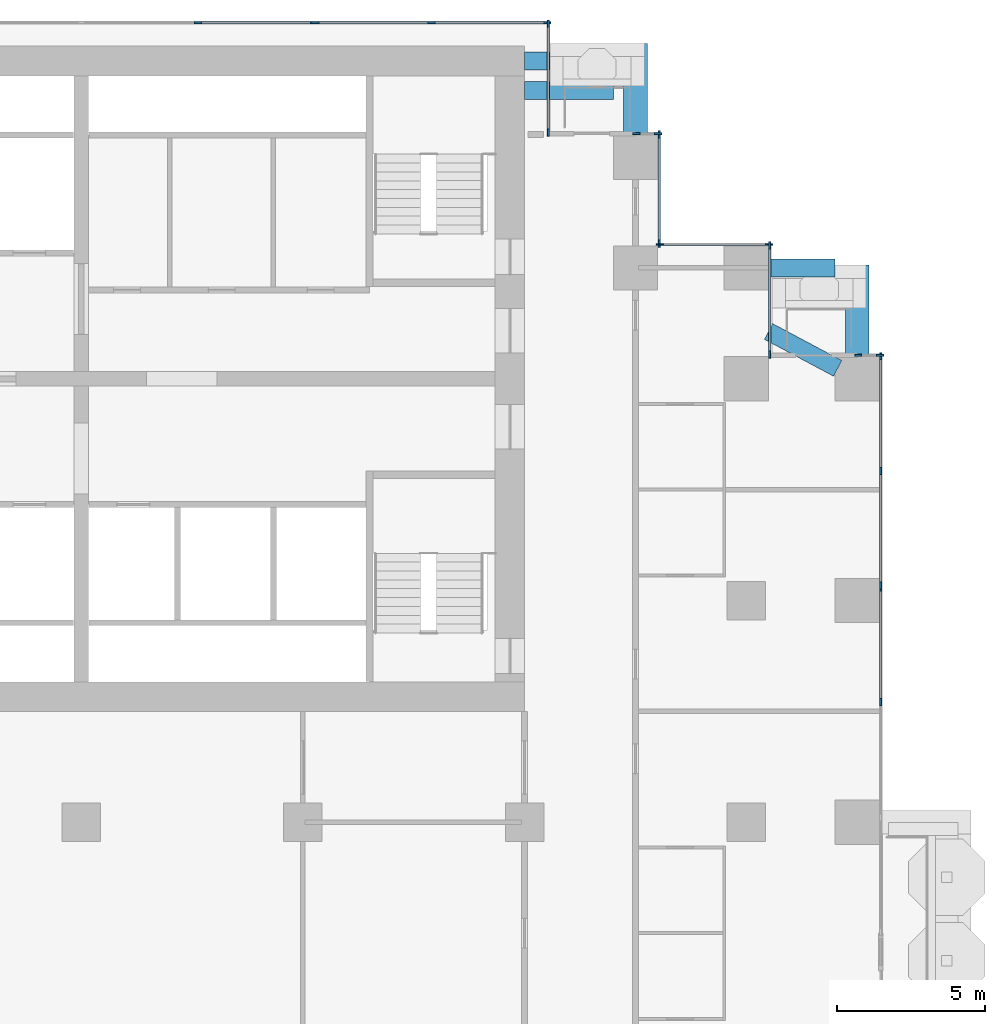
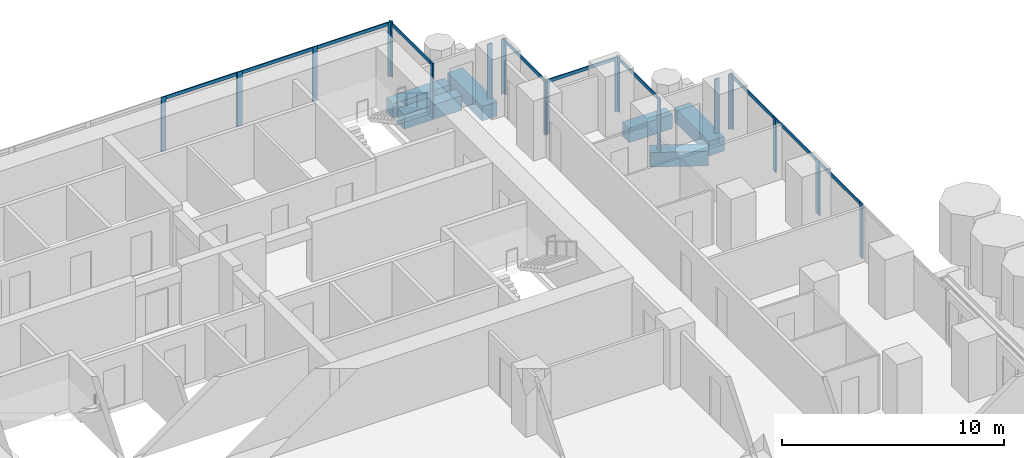
# One storey, part 6 of 18: 32 members, 6 beams, 10 elements without a shape of their own.
"""IFC4 building model written with IfcOpenShell, lengths in metres."""

from ifc_helpers import new_model, si_unit, direction, frame, origin, origin_2d, place, context, subcontext, project, spatial, rectangle, extrude, material, material_profile, profile_set, type_object, element, aggregate, save


model = new_model("IFC4")

# Units and contexts
model_context = context("Model", 3, precision=1e-05, world=origin(), true_north=direction((0.0, 1.0)))
body_context = subcontext(model_context, "Body", "Model", "MODEL_VIEW")
ifc_project = project(units=[si_unit("LENGTHUNIT", "METRE"), si_unit("AREAUNIT", "SQUARE_METRE"), si_unit("VOLUMEUNIT", "CUBIC_METRE"), si_unit("PLANEANGLEUNIT", "RADIAN"), si_unit("MASSUNIT", "GRAM", prefix="KILO")], contexts=[model_context])

# Site, building, storey
site_placement = place(None, origin())
site = spatial("IfcSite", under=ifc_project, at=site_placement, CompositionType="ELEMENT")
building_placement = place(site_placement, origin())
building = spatial("IfcBuilding", under=site, at=building_placement, Name="Pilkhan Gate Tower", CompositionType="ELEMENT")
storey_placement = place(building_placement, frame((0.0, 0.0, 75.800048828125)))
storey = spatial("IfcBuildingStorey", under=building, at=storey_placement, Name="L17", CompositionType="ELEMENT", Elevation=75.800048828125)

# Beams
ifc_material_1 = material(Name="Concrete C50/60", Category="concrete")
ifc_material_profile_1 = material_profile(ifc_material_1, rectangle(XDim=0.60009765625, YDim=0.800048828125, at=origin_2d()), Name="RC 600x800")
ifc_profile_set_1 = profile_set([ifc_material_profile_1], Name="Concrete C50/60")
beam_type_1 = type_object("IfcBeamType", Name="Cantilever beam CB1 RC 600x800 C50/60", PredefinedType="BEAM", material=ifc_profile_set_1)
for number, where, z_axis, x_axis, name in (
    (1, (90.0, 93.25, -0.699951171875), (1.0, 0.0, 0.0), (0.0, 1.0, 0.0), "Balcony beam NE.2 L17"),
    (2, (90.0, 92.25, -0.699951171875), (1.0, 0.0, 0.0), (0.0, 1.0, 0.0), "Balcony beam NE.3 L17"),
):
    element("IfcBeam", number, at=place(storey_placement, frame(where, z_axis=z_axis, x_axis=x_axis)), inside=storey, type_object=beam_type_1, Name=name, PredefinedType="BEAM", context=body_context, shape_type="SweptSolid", body=[
        extrude(rectangle(XDim=0.60009765625, YDim=0.800048828125, at=origin_2d()), origin(), (0.0, 0.0, 1.0), 3.0),
    ])
beam_1_placement = place(storey_placement, frame((98.25, 86.25, -0.699951171875), z_axis=(1.0, 0.0, 0.0), x_axis=(0.0, 1.0, 0.0)))
element("IfcBeam", 3, at=beam_1_placement, inside=storey, type_object=beam_type_1, Name="Balcony beam NE2.2 L17", PredefinedType="BEAM", context=body_context, shape_type="SweptSolid", body=[
    extrude(rectangle(XDim=0.60009765625, YDim=0.800048828125, at=origin_2d()), origin(), (0.0, 0.0, 1.0), 2.25),
])
beam_2_placement = place(storey_placement, frame((100.588134765625, 82.85302734375, -0.699951171875), z_axis=(-0.882342739565, 0.470607362817, 0.0), x_axis=(-0.470607362817, -0.882342739565, 0.0)))
element("IfcBeam", 4, at=beam_2_placement, inside=storey, type_object=beam_type_1, Name="Balcony beam NE2.3 L17", PredefinedType="BEAM", context=body_context, shape_type="SweptSolid", body=[
    extrude(rectangle(XDim=0.60009765625, YDim=0.800048828125, at=origin_2d()), origin(), (0.0, 0.0, 1.0), 2.64990234375),
])
ifc_material_profile_2 = material_profile(ifc_material_1, rectangle(XDim=0.800048828125, YDim=0.800048828125, at=origin_2d()), Name="RC 800x800")
ifc_profile_set_2 = profile_set([ifc_material_profile_2], Name="Concrete C50/60")
beam_type_2 = type_object("IfcBeamType", Name="Cantilever beam CB2 RC 800x800 C50/60", PredefinedType="BEAM", material=ifc_profile_set_2)
for number, where, z_axis, x_axis, name in (
    (5, (93.75, 90.75, -0.699951171875), (0.0, 1.0, 0.0), (-1.0, 0.0, 0.0), "Balcony beam NE.1 L17"),
    (6, (101.25, 83.25, -0.699951171875), (0.0, 1.0, 0.0), (-1.0, 0.0, 0.0), "Balcony beam NE2.1 L17"),
):
    element("IfcBeam", number, at=place(storey_placement, frame(where, z_axis=z_axis, x_axis=x_axis)), inside=storey, type_object=beam_type_2, Name=name, PredefinedType="BEAM", context=body_context, shape_type="SweptSolid", body=[
        extrude(rectangle(XDim=0.800048828125, YDim=0.800048828125, at=origin_2d()), origin(), (0.0, 0.0, 1.0), 3.10009765625),
    ])

# Curtain wall, members
ifc_material_2 = material(Name="Pale anodised aluminium, clear low-iron double glazing", Category="aluminium")
curtain_wall_type = type_object("IfcCurtainWallType", Name="Hotel unitised curtain wall CW-H", PredefinedType="USERDEFINED", material=ifc_material_2)
curtain_wall_1_placement = place(storey_placement, origin())
curtain_wall_1 = element("IfcCurtainWall", 7, at=curtain_wall_1_placement, inside=storey, type_object=curtain_wall_type, Name="Hotel unitised curtain wall CW-H L17 E", ObjectType="UNITISED CURTAIN WALL", PredefinedType="USERDEFINED")
ifc_material_3 = material(Name="Pale anodised aluminium", Category="aluminium")
ifc_material_profile_3 = material_profile(ifc_material_3, rectangle(XDim=0.06494140625, YDim=0.25, at=origin_2d()), Name="Mullion 250x65")
ifc_profile_set_3 = profile_set([ifc_material_profile_3], Name="Pale anodised aluminium")
member_type_1 = type_object("IfcMemberType", Name="Mullion CW-H 250x65", PredefinedType="MULLION", material=ifc_profile_set_3)
member_1_placement = place(storey_placement, frame((102.044921875, 71.568115234375, 0.0), z_axis=(0.0, 0.0, 1.0), x_axis=(-1.0, 0.0, 0.0)))
member_1 = element("IfcMember", 8, at=member_1_placement, type_object=member_type_1, Name="CW-H mullion 3", PredefinedType="MULLION", context=body_context, shape_type="SweptSolid", body=[
    extrude(rectangle(XDim=0.06494140625, YDim=0.25, at=origin_2d()), origin(), (0.0, 0.0, 1.0), 3.0),
])
member_2_placement = place(storey_placement, frame((102.044921875, 75.444580078125, 0.0), z_axis=(0.0, 0.0, 1.0), x_axis=(-1.0, 0.0, 0.0)))
member_2 = element("IfcMember", 9, at=member_2_placement, type_object=member_type_1, Name="CW-H mullion 4", PredefinedType="MULLION", context=body_context, shape_type="SweptSolid", body=[
    extrude(rectangle(XDim=0.06494140625, YDim=0.25, at=origin_2d()), origin(), (0.0, 0.0, 1.0), 3.0),
])

curtain_wall_2_placement = place(storey_placement, origin())
curtain_wall_2 = element("IfcCurtainWall", 10, at=curtain_wall_2_placement, inside=storey, type_object=curtain_wall_type, Name="Hotel unitised curtain wall CW-H L17 E", ObjectType="UNITISED CURTAIN WALL", PredefinedType="USERDEFINED")
member_3_placement = place(storey_placement, frame((102.044921875, 75.509521484375, 0.0), z_axis=(0.0, 0.0, 1.0), x_axis=(-1.0, 0.0, 0.0)))
member_3 = element("IfcMember", 11, at=member_3_placement, type_object=member_type_1, Name="CW-H mullion 1", PredefinedType="MULLION", context=body_context, shape_type="SweptSolid", body=[
    extrude(rectangle(XDim=0.06494140625, YDim=0.25, at=origin_2d()), origin(), (0.0, 0.0, 1.0), 3.0),
])
member_4_placement = place(storey_placement, frame((102.044921875, 79.385986328125, 0.0), z_axis=(0.0, 0.0, 1.0), x_axis=(-1.0, 0.0, 0.0)))
member_4 = element("IfcMember", 12, at=member_4_placement, type_object=member_type_1, Name="CW-H mullion 2", PredefinedType="MULLION", context=body_context, shape_type="SweptSolid", body=[
    extrude(rectangle(XDim=0.06494140625, YDim=0.25, at=origin_2d()), origin(), (0.0, 0.0, 1.0), 3.0),
])
member_5_placement = place(storey_placement, frame((102.044921875, 83.262451171875, 0.0), z_axis=(0.0, 0.0, 1.0), x_axis=(-1.0, 0.0, 0.0)))
member_5 = element("IfcMember", 13, at=member_5_placement, type_object=member_type_1, Name="CW-H mullion 3", PredefinedType="MULLION", context=body_context, shape_type="SweptSolid", body=[
    extrude(rectangle(XDim=0.06494140625, YDim=0.25, at=origin_2d()), origin(), (0.0, 0.0, 1.0), 3.0),
])

curtain_wall_3_placement = place(storey_placement, origin())
curtain_wall_3 = element("IfcCurtainWall", 14, at=curtain_wall_3_placement, inside=storey, type_object=curtain_wall_type, Name="Hotel unitised curtain wall CW-H L17 N", ObjectType="UNITISED CURTAIN WALL", PredefinedType="USERDEFINED")
member_6_placement = place(storey_placement, frame((101.282470703125, 83.294921875, 0.0), z_axis=(0.0, 0.0, 1.0), x_axis=(0.0, 1.0, 0.0)))
member_6 = element("IfcMember", 15, at=member_6_placement, type_object=member_type_1, Name="CW-H mullion 1", PredefinedType="MULLION", context=body_context, shape_type="SweptSolid", body=[
    extrude(rectangle(XDim=0.06494140625, YDim=0.25, at=origin_2d()), origin(), (0.0, 0.0, 1.0), 3.0),
])
member_7_placement = place(storey_placement, frame((102.012451171875, 83.294921875, 0.0), z_axis=(0.0, 0.0, 1.0), x_axis=(0.0, 1.0, 0.0)))
member_7 = element("IfcMember", 16, at=member_7_placement, type_object=member_type_1, Name="CW-H mullion 2", PredefinedType="MULLION", context=body_context, shape_type="SweptSolid", body=[
    extrude(rectangle(XDim=0.06494140625, YDim=0.25, at=origin_2d()), origin(), (0.0, 0.0, 1.0), 3.0),
])
aggregate(curtain_wall_3, [member_6, member_7])

curtain_wall_4_placement = place(storey_placement, origin())
curtain_wall_4 = element("IfcCurtainWall", 17, at=curtain_wall_4_placement, inside=storey, type_object=curtain_wall_type, Name="Hotel unitised curtain wall CW-H L17 E", ObjectType="UNITISED CURTAIN WALL", PredefinedType="USERDEFINED")
member_8_placement = place(storey_placement, frame((98.294921875, 83.327392578125, 0.0), z_axis=(0.0, 0.0, 1.0), x_axis=(-1.0, 0.0, 0.0)))
member_8 = element("IfcMember", 18, at=member_8_placement, type_object=member_type_1, Name="CW-H mullion 1", PredefinedType="MULLION", context=body_context, shape_type="SweptSolid", body=[
    extrude(rectangle(XDim=0.06494140625, YDim=0.25, at=origin_2d()), origin(), (0.0, 0.0, 1.0), 3.0),
])
member_9_placement = place(storey_placement, frame((98.294921875, 87.012451171875, 0.0), z_axis=(0.0, 0.0, 1.0), x_axis=(-1.0, 0.0, 0.0)))
member_9 = element("IfcMember", 19, at=member_9_placement, type_object=member_type_1, Name="CW-H mullion 2", PredefinedType="MULLION", context=body_context, shape_type="SweptSolid", body=[
    extrude(rectangle(XDim=0.06494140625, YDim=0.25, at=origin_2d()), origin(), (0.0, 0.0, 1.0), 3.0),
])

curtain_wall_5_placement = place(storey_placement, origin())
curtain_wall_5 = element("IfcCurtainWall", 20, at=curtain_wall_5_placement, inside=storey, type_object=curtain_wall_type, Name="Hotel unitised curtain wall CW-H L17 N", ObjectType="UNITISED CURTAIN WALL", PredefinedType="USERDEFINED")
member_10_placement = place(storey_placement, frame((94.577392578125, 87.044921875, 0.0), z_axis=(0.0, 0.0, 1.0), x_axis=(0.0, 1.0, 0.0)))
member_10 = element("IfcMember", 21, at=member_10_placement, type_object=member_type_1, Name="CW-H mullion 1", PredefinedType="MULLION", context=body_context, shape_type="SweptSolid", body=[
    extrude(rectangle(XDim=0.06494140625, YDim=0.25, at=origin_2d()), origin(), (0.0, 0.0, 1.0), 3.0),
])
member_11_placement = place(storey_placement, frame((98.262451171875, 87.044921875, 0.0), z_axis=(0.0, 0.0, 1.0), x_axis=(0.0, 1.0, 0.0)))
member_11 = element("IfcMember", 22, at=member_11_placement, type_object=member_type_1, Name="CW-H mullion 2", PredefinedType="MULLION", context=body_context, shape_type="SweptSolid", body=[
    extrude(rectangle(XDim=0.06494140625, YDim=0.25, at=origin_2d()), origin(), (0.0, 0.0, 1.0), 3.0),
])

curtain_wall_6_placement = place(storey_placement, origin())
curtain_wall_6 = element("IfcCurtainWall", 23, at=curtain_wall_6_placement, inside=storey, type_object=curtain_wall_type, Name="Hotel unitised curtain wall CW-H L17 E", ObjectType="UNITISED CURTAIN WALL", PredefinedType="USERDEFINED")
member_12_placement = place(storey_placement, frame((94.544921875, 87.077392578125, 0.0), z_axis=(0.0, 0.0, 1.0), x_axis=(-1.0, 0.0, 0.0)))
member_12 = element("IfcMember", 24, at=member_12_placement, type_object=member_type_1, Name="CW-H mullion 1", PredefinedType="MULLION", context=body_context, shape_type="SweptSolid", body=[
    extrude(rectangle(XDim=0.06494140625, YDim=0.25, at=origin_2d()), origin(), (0.0, 0.0, 1.0), 3.0),
])
member_13_placement = place(storey_placement, frame((94.544921875, 90.762451171875, 0.0), z_axis=(0.0, 0.0, 1.0), x_axis=(-1.0, 0.0, 0.0)))
member_13 = element("IfcMember", 25, at=member_13_placement, type_object=member_type_1, Name="CW-H mullion 2", PredefinedType="MULLION", context=body_context, shape_type="SweptSolid", body=[
    extrude(rectangle(XDim=0.06494140625, YDim=0.25, at=origin_2d()), origin(), (0.0, 0.0, 1.0), 3.0),
])

curtain_wall_7_placement = place(storey_placement, origin())
curtain_wall_7 = element("IfcCurtainWall", 26, at=curtain_wall_7_placement, inside=storey, type_object=curtain_wall_type, Name="Hotel unitised curtain wall CW-H L17 N", ObjectType="UNITISED CURTAIN WALL", PredefinedType="USERDEFINED")
member_14_placement = place(storey_placement, frame((93.782470703125, 90.794921875, 0.0), z_axis=(0.0, 0.0, 1.0), x_axis=(0.0, 1.0, 0.0)))
member_14 = element("IfcMember", 27, at=member_14_placement, type_object=member_type_1, Name="CW-H mullion 1", PredefinedType="MULLION", context=body_context, shape_type="SweptSolid", body=[
    extrude(rectangle(XDim=0.06494140625, YDim=0.25, at=origin_2d()), origin(), (0.0, 0.0, 1.0), 3.0),
])
member_15_placement = place(storey_placement, frame((94.512451171875, 90.794921875, 0.0), z_axis=(0.0, 0.0, 1.0), x_axis=(0.0, 1.0, 0.0)))
member_15 = element("IfcMember", 28, at=member_15_placement, type_object=member_type_1, Name="CW-H mullion 2", PredefinedType="MULLION", context=body_context, shape_type="SweptSolid", body=[
    extrude(rectangle(XDim=0.06494140625, YDim=0.25, at=origin_2d()), origin(), (0.0, 0.0, 1.0), 3.0),
])
aggregate(curtain_wall_7, [member_14, member_15])

curtain_wall_8_placement = place(storey_placement, origin())
curtain_wall_8 = element("IfcCurtainWall", 29, at=curtain_wall_8_placement, inside=storey, type_object=curtain_wall_type, Name="Hotel unitised curtain wall CW-H L17 E", ObjectType="UNITISED CURTAIN WALL", PredefinedType="USERDEFINED")
member_16_placement = place(storey_placement, frame((90.794921875, 90.827392578125, 0.0), z_axis=(0.0, 0.0, 1.0), x_axis=(-1.0, 0.0, 0.0)))
member_16 = element("IfcMember", 30, at=member_16_placement, type_object=member_type_1, Name="CW-H mullion 1", PredefinedType="MULLION", context=body_context, shape_type="SweptSolid", body=[
    extrude(rectangle(XDim=0.06494140625, YDim=0.25, at=origin_2d()), origin(), (0.0, 0.0, 1.0), 3.0),
])
member_17_placement = place(storey_placement, frame((90.794921875, 94.512451171875, 0.0), z_axis=(0.0, 0.0, 1.0), x_axis=(-1.0, 0.0, 0.0)))
member_17 = element("IfcMember", 31, at=member_17_placement, type_object=member_type_1, Name="CW-H mullion 2", PredefinedType="MULLION", context=body_context, shape_type="SweptSolid", body=[
    extrude(rectangle(XDim=0.06494140625, YDim=0.25, at=origin_2d()), origin(), (0.0, 0.0, 1.0), 3.0),
])

curtain_wall_9_placement = place(storey_placement, origin())
curtain_wall_9 = element("IfcCurtainWall", 32, at=curtain_wall_9_placement, inside=storey, type_object=curtain_wall_type, Name="Hotel unitised curtain wall CW-H L17 N", ObjectType="UNITISED CURTAIN WALL", PredefinedType="USERDEFINED")
member_18_placement = place(storey_placement, frame((78.94873046875, 94.544921875, 0.0), z_axis=(0.0, 0.0, 1.0), x_axis=(0.0, 1.0, 0.0)))
member_18 = element("IfcMember", 33, at=member_18_placement, type_object=member_type_1, Name="CW-H mullion 3", PredefinedType="MULLION", context=body_context, shape_type="SweptSolid", body=[
    extrude(rectangle(XDim=0.06494140625, YDim=0.25, at=origin_2d()), origin(), (0.0, 0.0, 1.0), 3.0),
])
member_19_placement = place(storey_placement, frame((82.864990234375, 94.544921875, 0.0), z_axis=(0.0, 0.0, 1.0), x_axis=(0.0, 1.0, 0.0)))
member_19 = element("IfcMember", 34, at=member_19_placement, type_object=member_type_1, Name="CW-H mullion 4", PredefinedType="MULLION", context=body_context, shape_type="SweptSolid", body=[
    extrude(rectangle(XDim=0.06494140625, YDim=0.25, at=origin_2d()), origin(), (0.0, 0.0, 1.0), 3.0),
])

curtain_wall_10_placement = place(storey_placement, origin())
curtain_wall_10 = element("IfcCurtainWall", 35, at=curtain_wall_10_placement, inside=storey, type_object=curtain_wall_type, Name="Hotel unitised curtain wall CW-H L17 N", ObjectType="UNITISED CURTAIN WALL", PredefinedType="USERDEFINED")
member_20_placement = place(storey_placement, frame((82.929931640625, 94.544921875, 0.0), z_axis=(0.0, 0.0, 1.0), x_axis=(0.0, 1.0, 0.0)))
member_20 = element("IfcMember", 36, at=member_20_placement, type_object=member_type_1, Name="CW-H mullion 1", PredefinedType="MULLION", context=body_context, shape_type="SweptSolid", body=[
    extrude(rectangle(XDim=0.06494140625, YDim=0.25, at=origin_2d()), origin(), (0.0, 0.0, 1.0), 3.0),
])
member_21_placement = place(storey_placement, frame((86.84619140625, 94.544921875, 0.0), z_axis=(0.0, 0.0, 1.0), x_axis=(0.0, 1.0, 0.0)))
member_21 = element("IfcMember", 37, at=member_21_placement, type_object=member_type_1, Name="CW-H mullion 2", PredefinedType="MULLION", context=body_context, shape_type="SweptSolid", body=[
    extrude(rectangle(XDim=0.06494140625, YDim=0.25, at=origin_2d()), origin(), (0.0, 0.0, 1.0), 3.0),
])
member_22_placement = place(storey_placement, frame((90.762451171875, 94.544921875, 0.0), z_axis=(0.0, 0.0, 1.0), x_axis=(0.0, 1.0, 0.0)))
member_22 = element("IfcMember", 38, at=member_22_placement, type_object=member_type_1, Name="CW-H mullion 3", PredefinedType="MULLION", context=body_context, shape_type="SweptSolid", body=[
    extrude(rectangle(XDim=0.06494140625, YDim=0.25, at=origin_2d()), origin(), (0.0, 0.0, 1.0), 3.0),
])

# Member
ifc_material_profile_4 = material_profile(ifc_material_3, rectangle(XDim=0.06494140625, YDim=0.179931640625, at=origin_2d()), Name="Transom 180x65")
ifc_profile_set_4 = profile_set([ifc_material_profile_4], Name="Pale anodised aluminium")
member_type_2 = type_object("IfcMemberType", Name="Transom CW-H 180x65", PredefinedType="USERDEFINED", material=ifc_profile_set_4)
member_23_placement = place(storey_placement, frame((102.044921875, 71.6005859375, 2.909912109375), z_axis=(0.0, 1.0, 0.0), x_axis=(-1.0, 0.0, 0.0)))
member_23 = element("IfcMember", 39, at=member_23_placement, type_object=member_type_2, Name="CW-H transom 3", ObjectType="TRANSOM", PredefinedType="USERDEFINED", context=body_context, shape_type="SweptSolid", body=[
    extrude(rectangle(XDim=0.06494140625, YDim=0.179931640625, at=origin_2d()), origin(), (0.0, 0.0, 1.0), 3.8115234375),
])

aggregate(curtain_wall_1, [member_1, member_2, member_23])

member_24_placement = place(storey_placement, frame((102.044921875, 75.5419921875, 2.909912109375), z_axis=(0.0, 1.0, 0.0), x_axis=(-1.0, 0.0, 0.0)))
member_24 = element("IfcMember", 40, at=member_24_placement, type_object=member_type_2, Name="CW-H transom 1", ObjectType="TRANSOM", PredefinedType="USERDEFINED", context=body_context, shape_type="SweptSolid", body=[
    extrude(rectangle(XDim=0.06494140625, YDim=0.179931640625, at=origin_2d()), origin(), (0.0, 0.0, 1.0), 3.8115234375),
])

member_25_placement = place(storey_placement, frame((102.044921875, 79.41845703125, 2.909912109375), z_axis=(0.0, 1.0, 0.0), x_axis=(-1.0, 0.0, 0.0)))
member_25 = element("IfcMember", 41, at=member_25_placement, type_object=member_type_2, Name="CW-H transom 2", ObjectType="TRANSOM", PredefinedType="USERDEFINED", context=body_context, shape_type="SweptSolid", body=[
    extrude(rectangle(XDim=0.06494140625, YDim=0.179931640625, at=origin_2d()), origin(), (0.0, 0.0, 1.0), 3.8115234375),
])

aggregate(curtain_wall_2, [member_3, member_4, member_5, member_24, member_25])

member_26_placement = place(storey_placement, frame((98.294921875, 83.360107421875, 2.909912109375), z_axis=(0.0, 1.0, 0.0), x_axis=(-1.0, 0.0, 0.0)))
member_26 = element("IfcMember", 42, at=member_26_placement, type_object=member_type_2, Name="CW-H transom 1", ObjectType="TRANSOM", PredefinedType="USERDEFINED", context=body_context, shape_type="SweptSolid", body=[
    extrude(rectangle(XDim=0.06494140625, YDim=0.179931640625, at=origin_2d()), origin(), (0.0, 0.0, 1.0), 3.619873046875),
])

aggregate(curtain_wall_4, [member_8, member_9, member_26])

member_27_placement = place(storey_placement, frame((94.610107421875, 87.044921875, 2.909912109375), z_axis=(1.0, 0.0, 0.0), x_axis=(0.0, 1.0, 0.0)))
member_27 = element("IfcMember", 43, at=member_27_placement, type_object=member_type_2, Name="CW-H transom 1", ObjectType="TRANSOM", PredefinedType="USERDEFINED", context=body_context, shape_type="SweptSolid", body=[
    extrude(rectangle(XDim=0.06494140625, YDim=0.179931640625, at=origin_2d()), origin(), (0.0, 0.0, 1.0), 3.619873046875),
])

aggregate(curtain_wall_5, [member_10, member_11, member_27])

member_28_placement = place(storey_placement, frame((94.544921875, 87.110107421875, 2.909912109375), z_axis=(0.0, 1.0, 0.0), x_axis=(-1.0, 0.0, 0.0)))
member_28 = element("IfcMember", 44, at=member_28_placement, type_object=member_type_2, Name="CW-H transom 1", ObjectType="TRANSOM", PredefinedType="USERDEFINED", context=body_context, shape_type="SweptSolid", body=[
    extrude(rectangle(XDim=0.06494140625, YDim=0.179931640625, at=origin_2d()), origin(), (0.0, 0.0, 1.0), 3.619873046875),
])

aggregate(curtain_wall_6, [member_12, member_13, member_28])

member_29_placement = place(storey_placement, frame((90.794921875, 90.860107421875, 2.909912109375), z_axis=(0.0, 1.0, 0.0), x_axis=(-1.0, 0.0, 0.0)))
member_29 = element("IfcMember", 45, at=member_29_placement, type_object=member_type_2, Name="CW-H transom 1", ObjectType="TRANSOM", PredefinedType="USERDEFINED", context=body_context, shape_type="SweptSolid", body=[
    extrude(rectangle(XDim=0.06494140625, YDim=0.179931640625, at=origin_2d()), origin(), (0.0, 0.0, 1.0), 3.619873046875),
])

aggregate(curtain_wall_8, [member_16, member_17, member_29])

member_30_placement = place(storey_placement, frame((78.981201171875, 94.544921875, 2.909912109375), z_axis=(1.0, 0.0, 0.0), x_axis=(0.0, 1.0, 0.0)))
member_30 = element("IfcMember", 46, at=member_30_placement, type_object=member_type_2, Name="CW-H transom 3", ObjectType="TRANSOM", PredefinedType="USERDEFINED", context=body_context, shape_type="SweptSolid", body=[
    extrude(rectangle(XDim=0.06494140625, YDim=0.179931640625, at=origin_2d()), origin(), (0.0, 0.0, 1.0), 3.851318359375),
])

aggregate(curtain_wall_9, [member_18, member_19, member_30])

member_31_placement = place(storey_placement, frame((82.96240234375, 94.544921875, 2.909912109375), z_axis=(1.0, 0.0, 0.0), x_axis=(0.0, 1.0, 0.0)))
member_31 = element("IfcMember", 47, at=member_31_placement, type_object=member_type_2, Name="CW-H transom 1", ObjectType="TRANSOM", PredefinedType="USERDEFINED", context=body_context, shape_type="SweptSolid", body=[
    extrude(rectangle(XDim=0.06494140625, YDim=0.179931640625, at=origin_2d()), origin(), (0.0, 0.0, 1.0), 3.851318359375),
])

member_32_placement = place(storey_placement, frame((86.878662109375, 94.544921875, 2.909912109375), z_axis=(1.0, 0.0, 0.0), x_axis=(0.0, 1.0, 0.0)))
member_32 = element("IfcMember", 48, at=member_32_placement, type_object=member_type_2, Name="CW-H transom 2", ObjectType="TRANSOM", PredefinedType="USERDEFINED", context=body_context, shape_type="SweptSolid", body=[
    extrude(rectangle(XDim=0.06494140625, YDim=0.179931640625, at=origin_2d()), origin(), (0.0, 0.0, 1.0), 3.851318359375),
])

aggregate(curtain_wall_10, [member_20, member_21, member_22, member_31, member_32])

save(model, "model.ifc")
